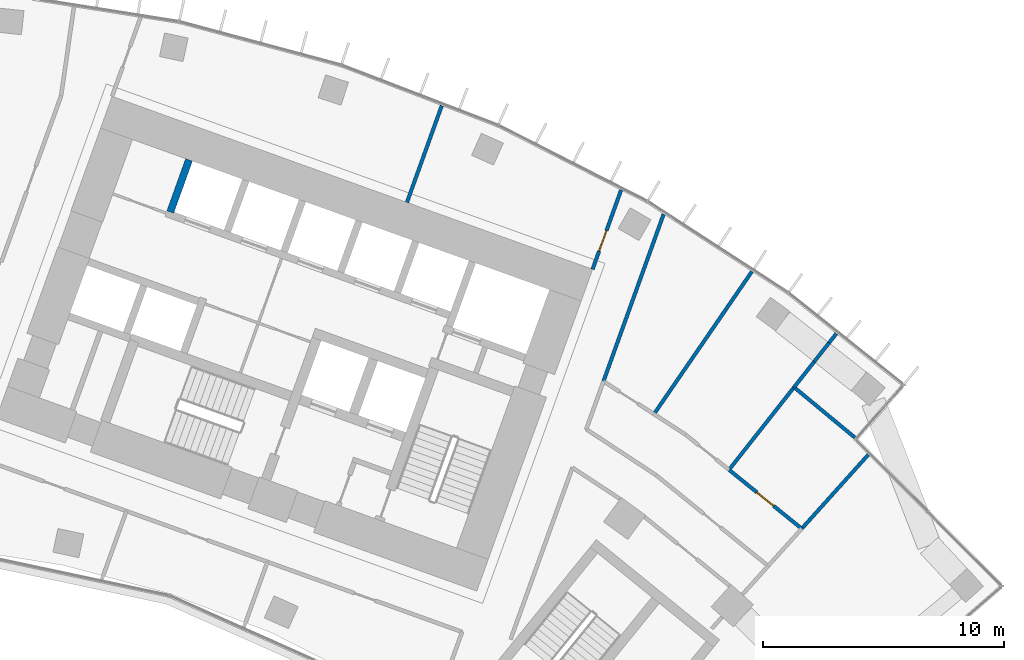
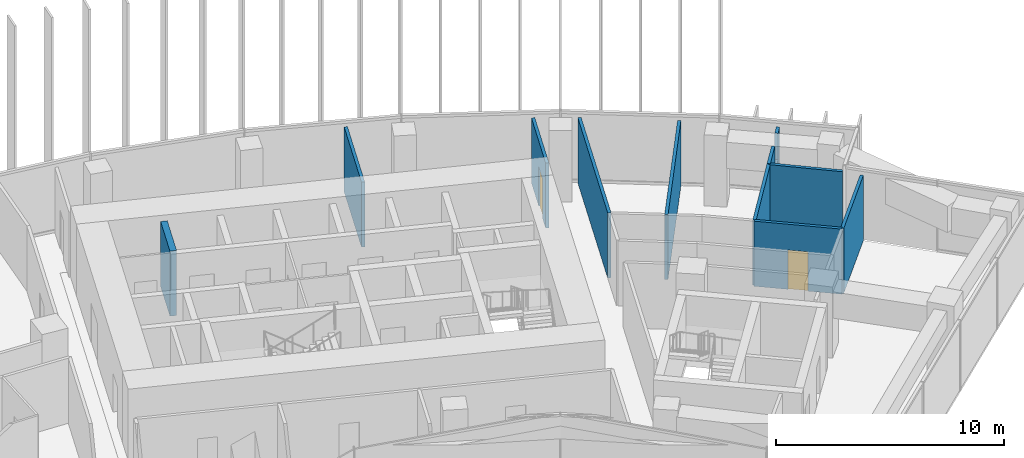
# One storey, part 20 of 23: 12 walls, 2 doors, 2 openings.
"""IFC4 building model written with IfcOpenShell, lengths in metres."""

from ifc_helpers import new_model, si_unit, direction, frame, frame_2d, origin, place, context, subcontext, project, spatial, rectangle, extrude, material, layer, layer_set, type_object, element, fill, save


model = new_model("IFC4")

# Units and contexts
model_context = context("Model", 3, precision=1e-05, world=origin(), true_north=direction((0.0, 1.0)))
body_context = subcontext(model_context, "Body", "Model", "MODEL_VIEW")
ifc_project = project(units=[si_unit("LENGTHUNIT", "METRE"), si_unit("AREAUNIT", "SQUARE_METRE"), si_unit("VOLUMEUNIT", "CUBIC_METRE"), si_unit("PLANEANGLEUNIT", "RADIAN"), si_unit("MASSUNIT", "GRAM", prefix="KILO")], contexts=[model_context])

# Site, building, storey
site_placement = place(None, origin())
site = spatial("IfcSite", under=ifc_project, at=site_placement, CompositionType="ELEMENT")
building_placement = place(site_placement, origin())
building = spatial("IfcBuilding", under=site, at=building_placement, Name="Stone Belt Terrace Tower", CompositionType="ELEMENT")
storey_placement = place(building_placement, frame((0.0, 0.0, 178.199951171875)))
storey = spatial("IfcBuildingStorey", under=building, at=storey_placement, Name="L43", CompositionType="ELEMENT", Elevation=178.199951171875)

# Wall
ifc_material_1 = material(Name="Concrete B80", Category="concrete")
ifc_layer_1 = layer(ifc_material_1, 0.300048828125)
ifc_layer_set_1 = layer_set([ifc_layer_1], Name="Lift shaft wall 300")
wall_type_1 = type_object("IfcWallType", Name="Lift shaft wall 300", PredefinedType="SHEAR", material=ifc_layer_set_1)
wall_1_placement = place(storey_placement, frame((13.471435546875, 57.218505859375, 0.0), z_axis=(0.0, 0.0, 1.0), x_axis=(0.338587917, 0.940934759939, 0.0)))
element("IfcWall", 1, at=wall_1_placement, inside=storey, type_object=wall_type_1, Name="Core B wall", PredefinedType="SHEAR", context=body_context, shape_type="SweptSolid", body=[
    extrude(rectangle(XDim=2.300048828125, YDim=0.300048828125, at=frame_2d((1.14990234375, 0.0))), origin(), (0.0, 0.0, 1.0), 3.47998046875),
])

# Wall, opening, door
ifc_material_2 = material(Name="Gypsum board partition")
ifc_layer_2 = layer(ifc_material_2, 0.14990234375)
ifc_layer_set_2 = layer_set([ifc_layer_2], Name="PARTITION 150 EI 60")
wall_type_2 = type_object("IfcWallType", Name="PARTITION 150 EI 60", PredefinedType="PARTITIONING", material=ifc_layer_set_2)
wall_2_placement = place(storey_placement, frame((31.001953125, 54.842041015625, 0.0), z_axis=(0.0, 0.0, 1.0), x_axis=(0.338662585219, 0.940907887826, 0.0)))
wall_2 = element("IfcWall", 2, at=wall_2_placement, inside=storey, type_object=wall_type_2, Name="L43/wall/i024", PredefinedType="PARTITIONING", context=body_context, shape_type="SweptSolid", body=[
    extrude(rectangle(XDim=3.49560546875, YDim=0.14990234375, at=frame_2d((1.747802734375, 0.0))), origin(), (0.0, 0.0, 1.0), 3.47998046875),
])
opening_1_placement = place(wall_2_placement, frame((0.798828125, 0.0, 0.0)))
opening_1 = element("IfcOpeningElement", 3, at=opening_1_placement, cuts=wall_2, Name="Opening D-C4-10", PredefinedType="OPENING", context=body_context, shape_type="SweptSolid", body=[
    extrude(rectangle(XDim=0.89990234375, YDim=2.10009765625, at=frame_2d((0.449951171875, 1.050048828125))), frame((0.0, 0.0849609375, 0.0), z_axis=(0.0, -1.0, 0.0), x_axis=(1.0, 0.0, 0.0)), (0.0, 0.0, 1.0), 0.169921875),
])
ifc_material_3 = material(Name="Timber door leaf", Category="wood")
door_type = type_object("IfcDoorType", Name="OFFICE DOOR 900 X 2100", OperationType="NOTDEFINED", PredefinedType="DOOR", material=ifc_material_3)
door_1_placement = place(opening_1_placement, origin())
door_1 = element("IfcDoor", 4, at=door_1_placement, inside=storey, type_object=door_type, Name="L43/door/i10", OperationType="SINGLE_SWING_LEFT", OverallHeight=2.10009765625, OverallWidth=0.89990234375, PredefinedType="DOOR", context=body_context, shape_type="SweptSolid", body=[
    extrude(rectangle(XDim=0.89990234375, YDim=2.10009765625, at=frame_2d((0.449951171875, 1.050048828125))), frame((0.0, 0.02490234375, 0.0), z_axis=(0.0, -1.0, 0.0), x_axis=(1.0, 0.0, 0.0)), (0.0, 0.0, 1.0), 0.050048828125),
])
fill(opening_1, door_1)

# Walls
wall_3_placement = place(storey_placement, frame((33.951904296875, 57.131103515625, 0.0), z_axis=(0.0, 0.0, 1.0), x_axis=(-0.338650373584, -0.940912283091, 0.0)))
element("IfcWall", 5, at=wall_3_placement, inside=storey, type_object=wall_type_2, Name="L43/wall/i028", PredefinedType="PARTITIONING", context=body_context, shape_type="SweptSolid", body=[
    extrude(rectangle(XDim=7.38232421875, YDim=0.14990234375, at=frame_2d((3.691162109375, 0.0))), origin(), (0.0, 0.0, 1.0), 3.47998046875),
])
wall_4_placement = place(storey_placement, frame((24.741943359375, 61.635986328125, 0.0), z_axis=(0.0, 0.0, 1.0), x_axis=(-0.338681022549, -0.940901251442, 0.0)))
element("IfcWall", 6, at=wall_4_placement, inside=storey, type_object=wall_type_2, Name="L43/wall/i034", PredefinedType="PARTITIONING", context=body_context, shape_type="SweptSolid", body=[
    extrude(rectangle(XDim=4.2724609375, YDim=0.14990234375, at=frame_2d((2.13623046875, 0.0))), origin(), (0.0, 0.0, 1.0), 3.47998046875),
])
wall_5_placement = place(storey_placement, frame((39.680908203125, 44.069091796875, 0.0), z_axis=(0.0, 0.0, 1.0), x_axis=(0.669052597547, 0.743215057514, 0.0)))
element("IfcWall", 7, at=wall_5_placement, inside=storey, type_object=wall_type_2, Name="L43/wall/i060", PredefinedType="PARTITIONING", context=body_context, shape_type="SweptSolid", body=[
    extrude(rectangle(XDim=4.14453125, YDim=0.14990234375, at=frame_2d((2.072265625, 0.0))), origin(), (0.0, 0.0, 1.0), 3.47998046875),
])

# Wall, opening, door
wall_6_placement = place(storey_placement, frame((36.660888671875, 46.52099609375, 0.0), z_axis=(0.0, 0.0, 1.0), x_axis=(0.7772857988, -0.629147667074, 0.0)))
wall_6 = element("IfcWall", 8, at=wall_6_placement, inside=storey, type_object=wall_type_2, Name="L43/wall/i068", PredefinedType="PARTITIONING", context=body_context, shape_type="SweptSolid", body=[
    extrude(rectangle(XDim=3.889404296875, YDim=0.14990234375, at=frame_2d((1.94482421875, 0.0))), origin(), (0.0, 0.0, 1.0), 3.47998046875),
])
opening_2_placement = place(wall_6_placement, frame((1.49462890625, 0.0, 0.0)))
opening_2 = element("IfcOpeningElement", 9, at=opening_2_placement, cuts=wall_6, Name="Opening D-C4-23", PredefinedType="OPENING", context=body_context, shape_type="SweptSolid", body=[
    extrude(rectangle(XDim=0.89990234375, YDim=2.10009765625, at=frame_2d((0.449951171875, 1.050048828125))), frame((0.0, 0.0849609375, 0.0), z_axis=(0.0, -1.0, 0.0), x_axis=(1.0, 0.0, 0.0)), (0.0, 0.0, 1.0), 0.169921875),
])
door_2_placement = place(opening_2_placement, origin())
door_2 = element("IfcDoor", 10, at=door_2_placement, inside=storey, type_object=door_type, Name="L43/door/i23", OperationType="SINGLE_SWING_RIGHT", OverallHeight=2.10009765625, OverallWidth=0.89990234375, PredefinedType="DOOR", context=body_context, shape_type="SweptSolid", body=[
    extrude(rectangle(XDim=0.89990234375, YDim=2.10009765625, at=frame_2d((0.449951171875, 1.050048828125))), frame((0.0, 0.02490234375, 0.0), z_axis=(0.0, -1.0, 0.0), x_axis=(1.0, 0.0, 0.0)), (0.0, 0.0, 1.0), 0.050048828125),
])
fill(opening_2, door_2)

# Walls
wall_7_placement = place(storey_placement, frame((37.61962890625, 54.75244140625, 0.0), z_axis=(0.0, 0.0, 1.0), x_axis=(-0.566335589244, -0.82417473897, 0.0)))
element("IfcWall", 11, at=wall_7_placement, inside=storey, type_object=wall_type_2, Name="L43/wall/i069", PredefinedType="PARTITIONING", context=body_context, shape_type="SweptSolid", body=[
    extrude(rectangle(XDim=7.185791015625, YDim=0.14990234375, at=frame_2d((3.5927734375, 0.0))), origin(), (0.0, 0.0, 1.0), 3.47998046875),
])
wall_8_placement = place(storey_placement, frame((39.37109375, 49.949951171875, 0.0), z_axis=(0.0, 0.0, 1.0), x_axis=(-0.619037258312, -0.785361619142, 0.0)))
element("IfcWall", 12, at=wall_8_placement, inside=storey, type_object=wall_type_2, Name="L43/wall/i070", PredefinedType="PARTITIONING", context=body_context, shape_type="SweptSolid", body=[
    extrude(rectangle(XDim=4.369873046875, YDim=0.14990234375, at=frame_2d((2.18505859375, 0.0))), origin(), (0.0, 0.0, 1.0), 3.47998046875),
])
wall_9_placement = place(storey_placement, frame((41.1240234375, 52.173583984375, 0.0), z_axis=(0.0, 0.0, 1.0), x_axis=(-0.619048563294, -0.785352708204, 0.0)))
element("IfcWall", 13, at=wall_9_placement, inside=storey, type_object=wall_type_2, Name="L43/wall/i071-1", PredefinedType="PARTITIONING", context=body_context, shape_type="SweptSolid", body=[
    extrude(rectangle(XDim=0.49169921875, YDim=0.14990234375, at=frame_2d((0.245849609375, 0.0))), origin(), (0.0, 0.0, 1.0), 3.47998046875),
])
wall_10_placement = place(storey_placement, frame((40.819580078125, 51.787353515625, 0.0), z_axis=(0.0, 0.0, 1.0), x_axis=(-0.619232681718, -0.785207543196, 0.0)))
element("IfcWall", 14, at=wall_10_placement, inside=storey, type_object=wall_type_2, Name="L43/wall/i071-2", PredefinedType="PARTITIONING", context=body_context, shape_type="SweptSolid", body=[
    extrude(rectangle(XDim=1.000244140625, YDim=0.14990234375, at=frame_2d((0.5, 0.0))), origin(), (0.0, 0.0, 1.0), 2.080078125),
])
wall_11_placement = place(storey_placement, frame((40.2001953125, 51.001953125, 0.0), z_axis=(0.0, 0.0, 1.0), x_axis=(-0.619064611365, -0.785340058163, 0.0)))
element("IfcWall", 15, at=wall_11_placement, inside=storey, type_object=wall_type_2, Name="L43/wall/i071-3", PredefinedType="PARTITIONING", context=body_context, shape_type="SweptSolid", body=[
    extrude(rectangle(XDim=1.352294921875, YDim=0.14990234375, at=frame_2d((0.67626953125, 0.0))), origin(), (0.0, 0.0, 1.0), 3.47998046875),
])
wall_12_placement = place(storey_placement, frame((39.366943359375, 49.945068359375, 0.0), z_axis=(0.0, 0.0, 1.0), x_axis=(0.770171645253, -0.637836685091, 0.0)))
element("IfcWall", 16, at=wall_12_placement, inside=storey, type_object=wall_type_2, Name="L43/wall/i072", PredefinedType="PARTITIONING", context=body_context, shape_type="SweptSolid", body=[
    extrude(rectangle(XDim=3.28759765625, YDim=0.14990234375, at=frame_2d((1.643798828125, 0.0))), origin(), (0.0, 0.0, 1.0), 3.47998046875),
])

save(model, "model.ifc")
